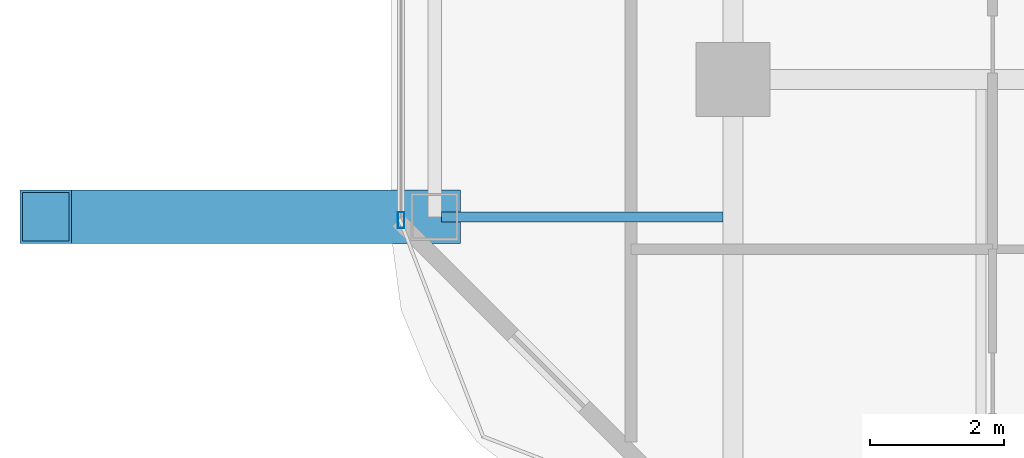
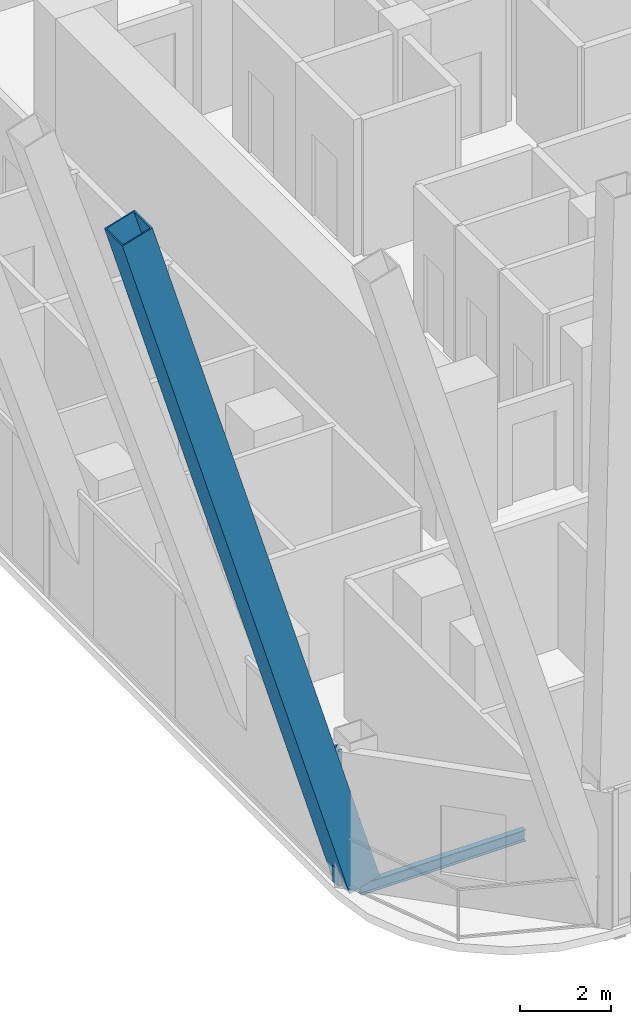
# One storey, part 3 of 32: 2 members, 1 beam, 1 element without a shape of its own.
"""IFC4 building model written with IfcOpenShell, lengths in metres."""

from ifc_helpers import new_model, si_unit, direction, frame, origin, origin_2d, place, context, subcontext, project, spatial, hollow_rectangle, i_section, extrude, material, layer, layer_set, material_profile, profile_set, type_object, element, aggregate, save


model = new_model("IFC4")

# Units and contexts
model_context = context("Model", 3, precision=1e-05, world=origin(), true_north=direction((0.0, 1.0)))
body_context = subcontext(model_context, "Body", "Model", "MODEL_VIEW")
ifc_project = project(units=[si_unit("LENGTHUNIT", "METRE"), si_unit("AREAUNIT", "SQUARE_METRE"), si_unit("VOLUMEUNIT", "CUBIC_METRE"), si_unit("PLANEANGLEUNIT", "RADIAN"), si_unit("MASSUNIT", "GRAM", prefix="KILO")], contexts=[model_context])

# Site, building, storey
site_placement = place(None, origin())
site = spatial("IfcSite", under=ifc_project, at=site_placement, CompositionType="ELEMENT")
building_placement = place(site_placement, origin())
building = spatial("IfcBuilding", under=site, at=building_placement, Name="Khorvyn Point Tower", CompositionType="ELEMENT")
storey_placement = place(building_placement, frame((0.0, 0.0, 148.5)))
storey = spatial("IfcBuildingStorey", under=building, at=storey_placement, Name="L37", CompositionType="ELEMENT", Elevation=148.5)

# Curtain wall, member
ifc_material_1 = material(Name="Anodised aluminium 6063-T6 and laminated Low-E glass", Category="aluminium")
ifc_layer = layer(ifc_material_1, 0.18994140625)
ifc_layer_set = layer_set([ifc_layer], Name="Stick-Built Acoustic Curtain Wall CW-SYS-03")
curtain_wall_type = type_object("IfcCurtainWallType", Name="Stick-Built Acoustic Curtain Wall CW-SYS-03", PredefinedType="NOTDEFINED", material=ifc_layer_set)
curtain_wall_placement = place(storey_placement, origin())
curtain_wall = element("IfcCurtainWall", 1, at=curtain_wall_placement, inside=storey, type_object=curtain_wall_type, Name="Curtain Wall", PredefinedType="NOTDEFINED")
ifc_material_2 = material(Name="Anodised aluminium 6063-T6", Category="aluminium")
ifc_material_profile_1 = material_profile(ifc_material_2, hollow_rectangle(XDim=0.10009765625, YDim=0.239990234375, WallThickness=0.0048828125, at=origin_2d()))
ifc_profile_set_1 = profile_set([ifc_material_profile_1], Name="Anodised aluminium 6063-T6 ALU-MUL-100x240")
member_type_1 = type_object("IfcMemberType", Name="Anodised Aluminium 6063-T6 Mullion ALU-MUL-100x240", PredefinedType="MULLION", material=ifc_profile_set_1)
member_1_placement = place(storey_placement, frame((-19.75, -19.199951171875, 0.0), z_axis=(0.0, 0.0, 1.0), x_axis=(-1.0, 0.0, 0.0)))
member_1 = element("IfcMember", 2, at=member_1_placement, type_object=member_type_1, Name="Transom", PredefinedType="MULLION", context=body_context, shape_type="SweptSolid", body=[
    extrude(hollow_rectangle(XDim=0.10009765625, YDim=0.239990234375, WallThickness=0.0048828125, at=origin_2d()), origin(), (0.0, 0.0, 1.0), 3.679931640625),
])
aggregate(curtain_wall, [member_1])

# Beam
ifc_material_3 = material(Name="Steel S355", Category="steel")
ifc_material_profile_2 = material_profile(ifc_material_3, i_section(OverallWidth=0.14990234375, OverallDepth=0.300048828125, WebThickness=0.006591796875, FlangeThickness=0.009033203125, at=origin_2d()))
ifc_profile_set_2 = profile_set([ifc_material_profile_2], Name="Steel S355 H300x150x6.5x9")
beam_type = type_object("IfcBeamType", Name="Steel S355 Joist H300x150x6.5x9", PredefinedType="JOIST", material=ifc_profile_set_2)
beam_placement = place(storey_placement, frame((-19.14990234375, -19.14990234375, -0.3701171875), z_axis=(1.0, 0.0, 0.0), x_axis=(0.0, 1.0, 0.0)))
element("IfcBeam", 3, at=beam_placement, inside=storey, type_object=beam_type, Name="Beam", PredefinedType="JOIST", context=body_context, shape_type="SweptSolid", body=[
    extrude(i_section(OverallWidth=0.14990234375, OverallDepth=0.300048828125, WebThickness=0.006591796875, FlangeThickness=0.009033203125, at=origin_2d()), origin(), (0.0, 0.0, 1.0), 4.199951171875),
])

# Member
ifc_material_4 = material(Name="Steel S450", Category="steel")
ifc_material_profile_3 = material_profile(ifc_material_4, hollow_rectangle(XDim=0.800048828125, YDim=0.800048828125, WallThickness=0.035888671875, at=origin_2d()))
ifc_profile_set_3 = profile_set([ifc_material_profile_3], Name="Steel S450 BOX800x800x36")
member_type_2 = type_object("IfcMemberType", Name="Steel S450 Exoskeleton Structural Post BOX800x800x36", PredefinedType="POST", material=ifc_profile_set_3)
member_2_placement = place(storey_placement, frame((-19.25, -19.14990234375, 0.0), z_axis=(-0.285094530681, 0.0, 0.958499404578), x_axis=(0.0, -1.0, 0.0)))
element("IfcMember", 4, at=member_2_placement, inside=storey, type_object=member_type_2, Name="L37 to L41 Exoskeleton Transfer Post 05", PredefinedType="POST", context=body_context, shape_type="SweptSolid", body=[
    extrude(hollow_rectangle(XDim=0.800048828125, YDim=0.800048828125, WallThickness=0.035888671875, at=origin_2d()), origin(), (0.0, 0.0, 1.0), 20.34423828125),
])

save(model, "model.ifc")
